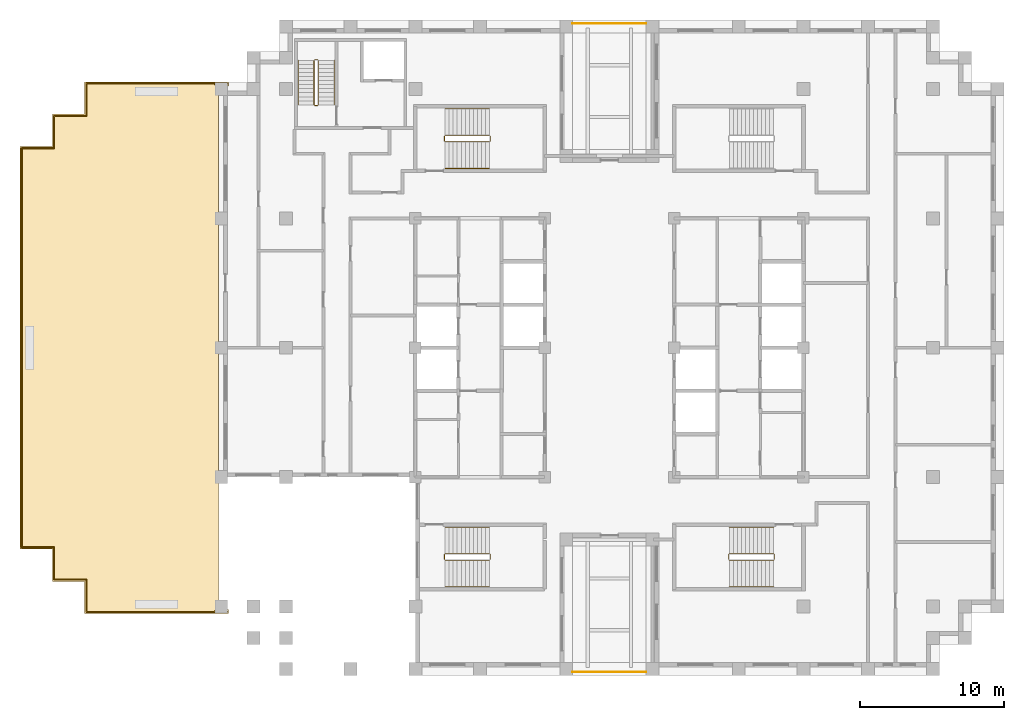
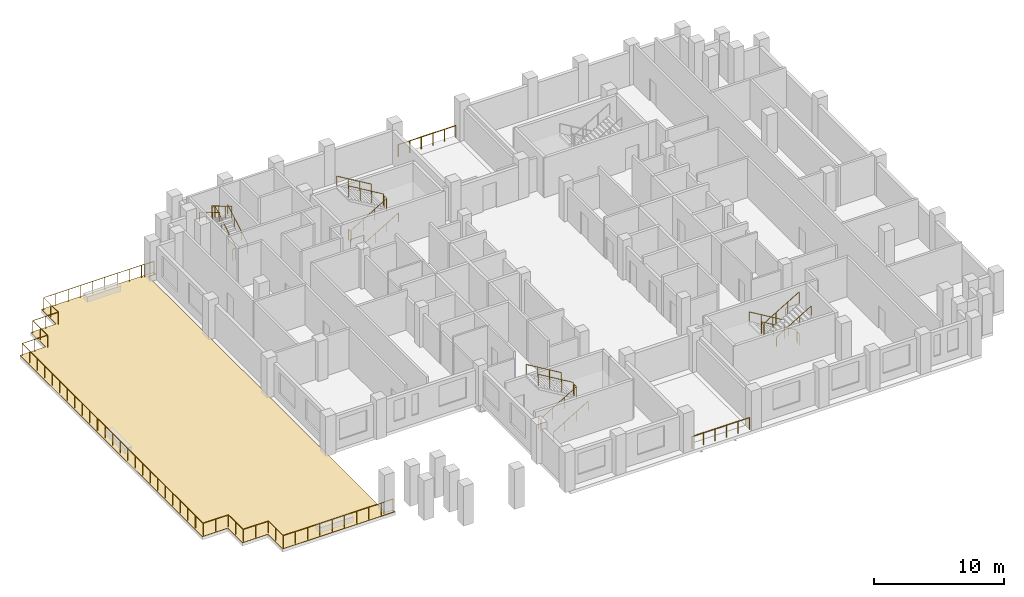
# One storey, part 9 of 10: 7 railings, 1 covering.
"""IFC4 building model written with IfcOpenShell, lengths in metres."""

from ifc_helpers import new_model, si_unit, direction, frame, origin, origin_2d, place, context, subcontext, project, spatial, polyline, circle, outline, extrude, material, layer, layer_set, type_object, element, save


model = new_model("IFC4")

# Units and contexts
model_context = context("Model", 3, precision=1e-05, world=origin(), true_north=direction((0.0, 1.0)))
body_context = subcontext(model_context, "Body", "Model", "MODEL_VIEW")
ifc_project = project(units=[si_unit("LENGTHUNIT", "METRE"), si_unit("AREAUNIT", "SQUARE_METRE"), si_unit("VOLUMEUNIT", "CUBIC_METRE"), si_unit("PLANEANGLEUNIT", "RADIAN"), si_unit("MASSUNIT", "GRAM", prefix="KILO")], contexts=[model_context])

# Site, building, storey
site_placement = place(None, origin())
site = spatial("IfcSite", under=ifc_project, at=site_placement, CompositionType="ELEMENT")
building_placement = place(site_placement, origin())
building = spatial("IfcBuilding", under=site, at=building_placement, Name="Corbelhall Arena Tower", CompositionType="ELEMENT")
storey_placement = place(building_placement, frame((0.0, 0.0, 242.0)))
storey = spatial("IfcBuildingStorey", under=building, at=storey_placement, Name="L51", CompositionType="ELEMENT", Elevation=242.0)

# Railings
ifc_material_1 = material(Name="Steel ASTM A500 Gr C", Category="steel")
railing_type_1 = type_object("IfcRailingType", Name="EV-GD1 Terrace guard 1100", PredefinedType="GUARDRAIL", material=ifc_material_1)
railing_1_placement = place(storey_placement, frame((-27.449951171875, -18.320068359375, 0.0400390625)))
element("IfcRailing", 1, at=railing_1_placement, inside=storey, type_object=railing_type_1, Name="Guard", PredefinedType="GUARDRAIL", context=body_context, shape_type="SweptSolid", body=[
    extrude(circle(Radius=0.02392578125, at=origin_2d()), frame((0.0, 0.0, 1.1259765625), z_axis=(1.0, 0.0, 0.0), x_axis=(0.0, 1.0, 0.0)), (0.0, 0.0, 1.0), 0.829833984375),
    extrude(circle(Radius=0.02392578125, at=origin_2d()), frame((0.829833984375, 0.0, 1.1259765625), z_axis=(0.0, -1.0, 0.0), x_axis=(1.0, 0.0, 0.0)), (0.0, 0.0, 1.0), 0.059814453125),
    extrude(circle(Radius=0.02392578125, at=origin_2d()), frame((0.829833984375, -0.059814453125, 1.1259765625), z_axis=(-1.0, 0.0, 0.0), x_axis=(0.0, -1.0, 0.0)), (0.0, 0.0, 1.0), 9.759765625),
    extrude(circle(Radius=0.02392578125, at=origin_2d()), frame((-8.929931640625, -0.059814453125, 1.1259765625), z_axis=(0.0, 1.0, 0.0), x_axis=(-1.0, 0.0, 0.0)), (0.0, 0.0, 1.0), 2.25),
    extrude(circle(Radius=0.02392578125, at=origin_2d()), frame((-8.929931640625, 2.190185546875, 1.1259765625), z_axis=(-1.0, 0.0, 0.0), x_axis=(0.0, -1.0, 0.0)), (0.0, 0.0, 1.0), 2.25),
    extrude(circle(Radius=0.02392578125, at=origin_2d()), frame((-11.179931640625, 2.190185546875, 1.1259765625), z_axis=(0.0, 1.0, 0.0), x_axis=(-1.0, 0.0, 0.0)), (0.0, 0.0, 1.0), 2.25),
    extrude(circle(Radius=0.02392578125, at=origin_2d()), frame((-11.179931640625, 4.440185546875, 1.1259765625), z_axis=(-1.0, 0.0, 0.0), x_axis=(0.0, -1.0, 0.0)), (0.0, 0.0, 1.0), 2.25),
    extrude(circle(Radius=0.02392578125, at=origin_2d()), frame((-13.429931640625, 4.440185546875, 1.1259765625), z_axis=(0.0, 1.0, 0.0), x_axis=(-1.0, 0.0, 0.0)), (0.0, 0.0, 1.0), 27.759765625),
    extrude(circle(Radius=0.02392578125, at=origin_2d()), frame((-13.429931640625, 32.199951171875, 1.1259765625), z_axis=(1.0, 0.0, 0.0), x_axis=(0.0, 1.0, 0.0)), (0.0, 0.0, 1.0), 2.25),
    extrude(circle(Radius=0.02392578125, at=origin_2d()), frame((-11.179931640625, 32.199951171875, 1.1259765625), z_axis=(0.0, 1.0, 0.0), x_axis=(-1.0, 0.0, 0.0)), (0.0, 0.0, 1.0), 2.25),
    extrude(circle(Radius=0.02392578125, at=origin_2d()), frame((-11.179931640625, 34.449951171875, 1.1259765625), z_axis=(1.0, 0.0, 0.0), x_axis=(0.0, 1.0, 0.0)), (0.0, 0.0, 1.0), 2.25),
    extrude(circle(Radius=0.02392578125, at=origin_2d()), frame((-8.929931640625, 34.449951171875, 1.1259765625), z_axis=(0.0, 1.0, 0.0), x_axis=(-1.0, 0.0, 0.0)), (0.0, 0.0, 1.0), 2.25),
    extrude(circle(Radius=0.02392578125, at=origin_2d()), frame((-8.929931640625, 36.699951171875, 1.1259765625), z_axis=(1.0, 0.0, 0.0), x_axis=(0.0, 1.0, 0.0)), (0.0, 0.0, 1.0), 9.759765625),
    extrude(circle(Radius=0.02392578125, at=origin_2d()), frame((0.829833984375, 36.699951171875, 1.1259765625), z_axis=(0.0, -1.0, 0.0), x_axis=(1.0, 0.0, 0.0)), (0.0, 0.0, 1.0), 0.059814453125),
    extrude(circle(Radius=0.02392578125, at=origin_2d()), frame((0.829833984375, 36.64013671875, 1.1259765625), z_axis=(-1.0, 0.0, 0.0), x_axis=(0.0, -1.0, 0.0)), (0.0, 0.0, 1.0), 0.829833984375),
    extrude(circle(Radius=0.02099609375, at=origin_2d()), origin(), (0.0, 0.0, 1.0), 1.101806640625),
    extrude(circle(Radius=0.02099609375, at=origin_2d()), frame((0.829833984375, 0.0, 0.0)), (0.0, 0.0, 1.0), 1.101806640625),
    extrude(circle(Radius=0.02099609375, at=origin_2d()), frame((0.829833984375, -0.059814453125, 0.0)), (0.0, 0.0, 1.0), 1.101806640625),
    extrude(circle(Radius=0.02099609375, at=origin_2d()), frame((-0.254638671875, -0.059814453125, 0.0)), (0.0, 0.0, 1.0), 1.101806640625),
    extrude(circle(Radius=0.02099609375, at=origin_2d()), frame((-1.339111328125, -0.059814453125, 0.0)), (0.0, 0.0, 1.0), 1.101806640625),
    extrude(circle(Radius=0.02099609375, at=origin_2d()), frame((-2.42333984375, -0.059814453125, 0.0)), (0.0, 0.0, 1.0), 1.101806640625),
    extrude(circle(Radius=0.02099609375, at=origin_2d()), frame((-3.5078125, -0.059814453125, 0.0)), (0.0, 0.0, 1.0), 1.101806640625),
    extrude(circle(Radius=0.02099609375, at=origin_2d()), frame((-4.59228515625, -0.059814453125, 0.0)), (0.0, 0.0, 1.0), 1.101806640625),
    extrude(circle(Radius=0.02099609375, at=origin_2d()), frame((-5.6767578125, -0.059814453125, 0.0)), (0.0, 0.0, 1.0), 1.101806640625),
    extrude(circle(Radius=0.02099609375, at=origin_2d()), frame((-6.760986328125, -0.059814453125, 0.0)), (0.0, 0.0, 1.0), 1.101806640625),
    extrude(circle(Radius=0.02099609375, at=origin_2d()), frame((-7.845458984375, -0.059814453125, 0.0)), (0.0, 0.0, 1.0), 1.101806640625),
    extrude(circle(Radius=0.02099609375, at=origin_2d()), frame((-8.929931640625, -0.059814453125, 0.0)), (0.0, 0.0, 1.0), 1.101806640625),
    extrude(circle(Radius=0.02099609375, at=origin_2d()), frame((-8.929931640625, 1.065185546875, 0.0)), (0.0, 0.0, 1.0), 1.101806640625),
    extrude(circle(Radius=0.02099609375, at=origin_2d()), frame((-8.929931640625, 2.190185546875, 0.0)), (0.0, 0.0, 1.0), 1.101806640625),
    extrude(circle(Radius=0.02099609375, at=origin_2d()), frame((-10.054931640625, 2.190185546875, 0.0)), (0.0, 0.0, 1.0), 1.101806640625),
    extrude(circle(Radius=0.02099609375, at=origin_2d()), frame((-11.179931640625, 2.190185546875, 0.0)), (0.0, 0.0, 1.0), 1.101806640625),
    extrude(circle(Radius=0.02099609375, at=origin_2d()), frame((-11.179931640625, 3.315185546875, 0.0)), (0.0, 0.0, 1.0), 1.101806640625),
    extrude(circle(Radius=0.02099609375, at=origin_2d()), frame((-11.179931640625, 4.440185546875, 0.0)), (0.0, 0.0, 1.0), 1.101806640625),
    extrude(circle(Radius=0.02099609375, at=origin_2d()), frame((-12.304931640625, 4.440185546875, 0.0)), (0.0, 0.0, 1.0), 1.101806640625),
    extrude(circle(Radius=0.02099609375, at=origin_2d()), frame((-13.429931640625, 4.440185546875, 0.0)), (0.0, 0.0, 1.0), 1.101806640625),
    extrude(circle(Radius=0.02099609375, at=origin_2d()), frame((-13.429931640625, 5.596923828125, 0.0)), (0.0, 0.0, 1.0), 1.101806640625),
    extrude(circle(Radius=0.02099609375, at=origin_2d()), frame((-13.429931640625, 6.75341796875, 0.0)), (0.0, 0.0, 1.0), 1.101806640625),
    extrude(circle(Radius=0.02099609375, at=origin_2d()), frame((-13.429931640625, 7.91015625, 0.0)), (0.0, 0.0, 1.0), 1.101806640625),
    extrude(circle(Radius=0.02099609375, at=origin_2d()), frame((-13.429931640625, 9.06689453125, 0.0)), (0.0, 0.0, 1.0), 1.101806640625),
    extrude(circle(Radius=0.02099609375, at=origin_2d()), frame((-13.429931640625, 10.223388671875, 0.0)), (0.0, 0.0, 1.0), 1.101806640625),
    extrude(circle(Radius=0.02099609375, at=origin_2d()), frame((-13.429931640625, 11.380126953125, 0.0)), (0.0, 0.0, 1.0), 1.101806640625),
    extrude(circle(Radius=0.02099609375, at=origin_2d()), frame((-13.429931640625, 12.536865234375, 0.0)), (0.0, 0.0, 1.0), 1.101806640625),
    extrude(circle(Radius=0.02099609375, at=origin_2d()), frame((-13.429931640625, 13.693359375, 0.0)), (0.0, 0.0, 1.0), 1.101806640625),
    extrude(circle(Radius=0.02099609375, at=origin_2d()), frame((-13.429931640625, 14.85009765625, 0.0)), (0.0, 0.0, 1.0), 1.101806640625),
    extrude(circle(Radius=0.02099609375, at=origin_2d()), frame((-13.429931640625, 16.0068359375, 0.0)), (0.0, 0.0, 1.0), 1.101806640625),
    extrude(circle(Radius=0.02099609375, at=origin_2d()), frame((-13.429931640625, 17.163330078125, 0.0)), (0.0, 0.0, 1.0), 1.101806640625),
    extrude(circle(Radius=0.02099609375, at=origin_2d()), frame((-13.429931640625, 18.320068359375, 0.0)), (0.0, 0.0, 1.0), 1.101806640625),
    extrude(circle(Radius=0.02099609375, at=origin_2d()), frame((-13.429931640625, 19.476806640625, 0.0)), (0.0, 0.0, 1.0), 1.101806640625),
    extrude(circle(Radius=0.02099609375, at=origin_2d()), frame((-13.429931640625, 20.63330078125, 0.0)), (0.0, 0.0, 1.0), 1.101806640625),
    extrude(circle(Radius=0.02099609375, at=origin_2d()), frame((-13.429931640625, 21.7900390625, 0.0)), (0.0, 0.0, 1.0), 1.101806640625),
    extrude(circle(Radius=0.02099609375, at=origin_2d()), frame((-13.429931640625, 22.94677734375, 0.0)), (0.0, 0.0, 1.0), 1.101806640625),
    extrude(circle(Radius=0.02099609375, at=origin_2d()), frame((-13.429931640625, 24.103271484375, 0.0)), (0.0, 0.0, 1.0), 1.101806640625),
    extrude(circle(Radius=0.02099609375, at=origin_2d()), frame((-13.429931640625, 25.260009765625, 0.0)), (0.0, 0.0, 1.0), 1.101806640625),
    extrude(circle(Radius=0.02099609375, at=origin_2d()), frame((-13.429931640625, 26.416748046875, 0.0)), (0.0, 0.0, 1.0), 1.101806640625),
    extrude(circle(Radius=0.02099609375, at=origin_2d()), frame((-13.429931640625, 27.5732421875, 0.0)), (0.0, 0.0, 1.0), 1.101806640625),
    extrude(circle(Radius=0.02099609375, at=origin_2d()), frame((-13.429931640625, 28.72998046875, 0.0)), (0.0, 0.0, 1.0), 1.101806640625),
    extrude(circle(Radius=0.02099609375, at=origin_2d()), frame((-13.429931640625, 29.88671875, 0.0)), (0.0, 0.0, 1.0), 1.101806640625),
    extrude(circle(Radius=0.02099609375, at=origin_2d()), frame((-13.429931640625, 31.043212890625, 0.0)), (0.0, 0.0, 1.0), 1.101806640625),
    extrude(circle(Radius=0.02099609375, at=origin_2d()), frame((-13.429931640625, 32.199951171875, 0.0)), (0.0, 0.0, 1.0), 1.101806640625),
    extrude(circle(Radius=0.02099609375, at=origin_2d()), frame((-12.304931640625, 32.199951171875, 0.0)), (0.0, 0.0, 1.0), 1.101806640625),
    extrude(circle(Radius=0.02099609375, at=origin_2d()), frame((-11.179931640625, 32.199951171875, 0.0)), (0.0, 0.0, 1.0), 1.101806640625),
    extrude(circle(Radius=0.02099609375, at=origin_2d()), frame((-11.179931640625, 33.324951171875, 0.0)), (0.0, 0.0, 1.0), 1.101806640625),
    extrude(circle(Radius=0.02099609375, at=origin_2d()), frame((-11.179931640625, 34.449951171875, 0.0)), (0.0, 0.0, 1.0), 1.101806640625),
    extrude(circle(Radius=0.02099609375, at=origin_2d()), frame((-10.054931640625, 34.449951171875, 0.0)), (0.0, 0.0, 1.0), 1.101806640625),
    extrude(circle(Radius=0.02099609375, at=origin_2d()), frame((-8.929931640625, 34.449951171875, 0.0)), (0.0, 0.0, 1.0), 1.101806640625),
    extrude(circle(Radius=0.02099609375, at=origin_2d()), frame((-8.929931640625, 35.574951171875, 0.0)), (0.0, 0.0, 1.0), 1.101806640625),
    extrude(circle(Radius=0.02099609375, at=origin_2d()), frame((-8.929931640625, 36.699951171875, 0.0)), (0.0, 0.0, 1.0), 1.101806640625),
    extrude(circle(Radius=0.02099609375, at=origin_2d()), frame((-7.845458984375, 36.699951171875, 0.0)), (0.0, 0.0, 1.0), 1.101806640625),
    extrude(circle(Radius=0.02099609375, at=origin_2d()), frame((-6.760986328125, 36.699951171875, 0.0)), (0.0, 0.0, 1.0), 1.101806640625),
    extrude(circle(Radius=0.02099609375, at=origin_2d()), frame((-5.6767578125, 36.699951171875, 0.0)), (0.0, 0.0, 1.0), 1.101806640625),
    extrude(circle(Radius=0.02099609375, at=origin_2d()), frame((-4.59228515625, 36.699951171875, 0.0)), (0.0, 0.0, 1.0), 1.101806640625),
    extrude(circle(Radius=0.02099609375, at=origin_2d()), frame((-3.5078125, 36.699951171875, 0.0)), (0.0, 0.0, 1.0), 1.101806640625),
    extrude(circle(Radius=0.02099609375, at=origin_2d()), frame((-2.42333984375, 36.699951171875, 0.0)), (0.0, 0.0, 1.0), 1.101806640625),
    extrude(circle(Radius=0.02099609375, at=origin_2d()), frame((-1.339111328125, 36.699951171875, 0.0)), (0.0, 0.0, 1.0), 1.101806640625),
    extrude(circle(Radius=0.02099609375, at=origin_2d()), frame((-0.254638671875, 36.699951171875, 0.0)), (0.0, 0.0, 1.0), 1.101806640625),
    extrude(circle(Radius=0.02099609375, at=origin_2d()), frame((0.829833984375, 36.699951171875, 0.0)), (0.0, 0.0, 1.0), 1.101806640625),
    extrude(circle(Radius=0.02099609375, at=origin_2d()), frame((0.829833984375, 36.64013671875, 0.0)), (0.0, 0.0, 1.0), 1.101806640625),
    extrude(circle(Radius=0.02099609375, at=origin_2d()), frame((0.0, 36.64013671875, 0.0)), (0.0, 0.0, 1.0), 1.101806640625),
])
for number, where, name in (
    (2, (-2.550048828125, 22.550048828125, 0.0), "Guard"),
    (3, (-2.550048828125, -22.550048828125, 0.0), "Guard"),
):
    element("IfcRailing", number, at=place(storey_placement, frame(where)), inside=storey, type_object=railing_type_1, Name=name, PredefinedType="GUARDRAIL", context=body_context, shape_type="SweptSolid", body=[
        extrude(circle(Radius=0.02392578125, at=origin_2d()), frame((0.0, 0.0, 1.1259765625), z_axis=(1.0, 0.0, 0.0), x_axis=(0.0, 1.0, 0.0)), (0.0, 0.0, 1.0), 5.10009765625),
        extrude(circle(Radius=0.02099609375, at=origin_2d()), origin(), (0.0, 0.0, 1.0), 1.101806640625),
        extrude(circle(Radius=0.02099609375, at=origin_2d()), frame((1.02001953125, 0.0, 0.0)), (0.0, 0.0, 1.0), 1.101806640625),
        extrude(circle(Radius=0.02099609375, at=origin_2d()), frame((2.0400390625, 0.0, 0.0)), (0.0, 0.0, 1.0), 1.101806640625),
        extrude(circle(Radius=0.02099609375, at=origin_2d()), frame((3.06005859375, 0.0, 0.0)), (0.0, 0.0, 1.0), 1.101806640625),
        extrude(circle(Radius=0.02099609375, at=origin_2d()), frame((4.080078125, 0.0, 0.0)), (0.0, 0.0, 1.0), 1.101806640625),
        extrude(circle(Radius=0.02099609375, at=origin_2d()), frame((5.10009765625, 0.0, 0.0)), (0.0, 0.0, 1.0), 1.101806640625),
    ])

# Covering
ifc_material_2 = material(Name="Granite paving", Category="masonry")
ifc_layer = layer(ifc_material_2, 0.0400390625)
ifc_layer_set = layer_set([ifc_layer], Name="EV-PV1 Terrace paving 40")
covering_type = type_object("IfcCoveringType", Name="EV-PV1 Terrace paving 40", PredefinedType="FLOORING", material=ifc_layer_set)
covering_placement = place(storey_placement, origin())
element("IfcCovering", 4, at=covering_placement, inside=storey, type_object=covering_type, Name="Terrace paving", PredefinedType="FLOORING", context=body_context, shape_type="SweptSolid", body=[
    extrude(outline(polyline([(-36.5, -18.5), (-36.5, -16.25), (-38.75, -16.25), (-38.75, -14.0), (-41.0, -14.0), (-41.0, 14.0), (-38.75, 14.0), (-38.75, 16.25), (-36.5, 16.25), (-36.5, 18.5), (-26.5, 18.5), (-26.5, 18.199951171875), (-27.199951171875, 18.199951171875), (-27.199951171875, -18.199951171875), (-26.5, -18.199951171875), (-26.5, -18.5), (-36.5, -18.5)])), origin(), (0.0, 0.0, 1.0), 0.0400390625),
])

# Railings
railing_type_2 = type_object("IfcRailingType", Name="IN-GD-1100", PredefinedType="GUARDRAIL", material=ifc_material_1)
railing_2_placement = place(storey_placement, frame((-11.425048828125, 14.324951171875, 0.166748046875)))
element("IfcRailing", 5, at=railing_2_placement, inside=storey, type_object=railing_type_2, Name="L51 ST1 stair guards and handrails", PredefinedType="GUARDRAIL", context=body_context, shape_type="SweptSolid", body=[
    extrude(circle(Radius=0.02392578125, at=origin_2d()), frame((0.0, 0.0, 1.076171875), z_axis=(0.859308565015, 0.0, 0.511457515432), x_axis=(0.0, 1.0, 0.0)), (0.0, 0.0, 1.0), 3.58447265625),
    extrude(circle(Radius=0.02392578125, at=origin_2d()), frame((3.130126953125, 0.050048828125, 2.9091796875), z_axis=(0.0, 1.0, 0.0), x_axis=(-1.0, 0.0, 0.0)), (0.0, 0.0, 1.0), 0.35009765625),
    extrude(circle(Radius=0.02392578125, at=origin_2d()), frame((3.080078125, 0.449951171875, 3.076171875), z_axis=(-0.859308565015, 0.0, 0.511457515432), x_axis=(0.0, -1.0, 0.0)), (0.0, 0.0, 1.0), 3.58447265625),
    extrude(circle(Radius=0.02392578125, at=origin_2d()), frame((-0.050048828125, 0.050048828125, 0.9091796875), z_axis=(0.0, 1.0, 0.0), x_axis=(-1.0, 0.0, 0.0)), (0.0, 0.0, 1.0), 0.35009765625),
    extrude(circle(Radius=0.02392578125, at=origin_2d()), frame((0.0, -1.849853515625, 0.8759765625), z_axis=(0.859308565015, 0.0, 0.511457515432), x_axis=(0.0, 1.0, 0.0)), (0.0, 0.0, 1.0), 3.58447265625),
    extrude(circle(Radius=0.02392578125, at=origin_2d()), frame((3.080078125, 2.300048828125, 2.8759765625), z_axis=(-0.859308565015, 0.0, 0.511457515432), x_axis=(0.0, -1.0, 0.0)), (0.0, 0.0, 1.0), 3.58447265625),
    extrude(circle(Radius=0.02099609375, at=origin_2d()), origin(), (0.0, 0.0, 1.0), 1.052001953125),
    extrude(circle(Radius=0.02099609375, at=origin_2d()), frame((1.026611328125, 0.0, 0.611083984375)), (0.0, 0.0, 1.0), 1.052001953125),
    extrude(circle(Radius=0.02099609375, at=origin_2d()), frame((2.053466796875, 0.0, 1.22216796875)), (0.0, 0.0, 1.0), 1.052001953125),
    extrude(circle(Radius=0.02099609375, at=origin_2d()), frame((3.080078125, 0.0, 1.833251953125)), (0.0, 0.0, 1.0), 1.052001953125),
    extrude(circle(Radius=0.02099609375, at=origin_2d()), frame((3.130126953125, 0.050048828125, 1.833251953125)), (0.0, 0.0, 1.0), 1.052001953125),
    extrude(circle(Radius=0.02099609375, at=origin_2d()), frame((3.130126953125, 0.400146484375, 1.833251953125)), (0.0, 0.0, 1.0), 1.052001953125),
    extrude(circle(Radius=0.02099609375, at=origin_2d()), frame((3.080078125, 0.449951171875, 2.0)), (0.0, 0.0, 1.0), 1.052001953125),
    extrude(circle(Radius=0.02099609375, at=origin_2d()), frame((2.053466796875, 0.449951171875, 2.611083984375)), (0.0, 0.0, 1.0), 1.052001953125),
    extrude(circle(Radius=0.02099609375, at=origin_2d()), frame((1.026611328125, 0.449951171875, 3.22216796875)), (0.0, 0.0, 1.0), 1.052001953125),
    extrude(circle(Radius=0.02099609375, at=origin_2d()), frame((0.0, 0.449951171875, 3.833251953125)), (0.0, 0.0, 1.0), 1.052001953125),
    extrude(circle(Radius=0.02099609375, at=origin_2d()), frame((-0.050048828125, 0.050048828125, -0.166748046875)), (0.0, 0.0, 1.0), 1.052001953125),
    extrude(circle(Radius=0.02099609375, at=origin_2d()), frame((-0.050048828125, 0.400146484375, -0.166748046875)), (0.0, 0.0, 1.0), 1.052001953125),
    extrude(circle(Radius=0.02099609375, at=origin_2d()), frame((0.0, -1.849853515625, 0.0)), (0.0, 0.0, 1.0), 0.851806640625),
    extrude(circle(Radius=0.02099609375, at=origin_2d()), frame((1.026611328125, -1.849853515625, 0.611083984375)), (0.0, 0.0, 1.0), 0.851806640625),
    extrude(circle(Radius=0.02099609375, at=origin_2d()), frame((2.053466796875, -1.849853515625, 1.22216796875)), (0.0, 0.0, 1.0), 0.851806640625),
    extrude(circle(Radius=0.02099609375, at=origin_2d()), frame((3.080078125, -1.849853515625, 1.833251953125)), (0.0, 0.0, 1.0), 0.851806640625),
    extrude(circle(Radius=0.02099609375, at=origin_2d()), frame((3.080078125, 2.300048828125, 2.0)), (0.0, 0.0, 1.0), 0.851806640625),
    extrude(circle(Radius=0.02099609375, at=origin_2d()), frame((2.053466796875, 2.300048828125, 2.611083984375)), (0.0, 0.0, 1.0), 0.851806640625),
    extrude(circle(Radius=0.02099609375, at=origin_2d()), frame((1.026611328125, 2.300048828125, 3.22216796875)), (0.0, 0.0, 1.0), 0.851806640625),
    extrude(circle(Radius=0.02099609375, at=origin_2d()), frame((0.0, 2.300048828125, 3.833251953125)), (0.0, 0.0, 1.0), 0.851806640625),
])
railing_3_placement = place(storey_placement, frame((-11.425048828125, -14.77490234375, 0.166748046875)))
element("IfcRailing", 6, at=railing_3_placement, inside=storey, type_object=railing_type_2, Name="L51 ST2 stair guards and handrails", PredefinedType="GUARDRAIL", context=body_context, shape_type="SweptSolid", body=[
    extrude(circle(Radius=0.02392578125, at=origin_2d()), frame((0.0, 0.0, 1.076171875), z_axis=(0.859308565015, 0.0, 0.511457515432), x_axis=(0.0, 1.0, 0.0)), (0.0, 0.0, 1.0), 3.58447265625),
    extrude(circle(Radius=0.02392578125, at=origin_2d()), frame((3.130126953125, 0.0498046875, 2.9091796875), z_axis=(0.0, 1.0, 0.0), x_axis=(-1.0, 0.0, 0.0)), (0.0, 0.0, 1.0), 0.35009765625),
    extrude(circle(Radius=0.02392578125, at=origin_2d()), frame((3.080078125, 0.449951171875, 3.076171875), z_axis=(-0.859308565015, 0.0, 0.511457515432), x_axis=(0.0, -1.0, 0.0)), (0.0, 0.0, 1.0), 3.58447265625),
    extrude(circle(Radius=0.02392578125, at=origin_2d()), frame((-0.050048828125, 0.0498046875, 0.9091796875), z_axis=(0.0, 1.0, 0.0), x_axis=(-1.0, 0.0, 0.0)), (0.0, 0.0, 1.0), 0.35009765625),
    extrude(circle(Radius=0.02392578125, at=origin_2d()), frame((0.0, -1.85009765625, 0.8759765625), z_axis=(0.859308565015, 0.0, 0.511457515432), x_axis=(0.0, 1.0, 0.0)), (0.0, 0.0, 1.0), 3.58447265625),
    extrude(circle(Radius=0.02392578125, at=origin_2d()), frame((3.080078125, 2.2998046875, 2.8759765625), z_axis=(-0.859308565015, 0.0, 0.511457515432), x_axis=(0.0, -1.0, 0.0)), (0.0, 0.0, 1.0), 3.58447265625),
    extrude(circle(Radius=0.02099609375, at=origin_2d()), origin(), (0.0, 0.0, 1.0), 1.052001953125),
    extrude(circle(Radius=0.02099609375, at=origin_2d()), frame((1.026611328125, 0.0, 0.611083984375)), (0.0, 0.0, 1.0), 1.052001953125),
    extrude(circle(Radius=0.02099609375, at=origin_2d()), frame((2.053466796875, 0.0, 1.22216796875)), (0.0, 0.0, 1.0), 1.052001953125),
    extrude(circle(Radius=0.02099609375, at=origin_2d()), frame((3.080078125, 0.0, 1.833251953125)), (0.0, 0.0, 1.0), 1.052001953125),
    extrude(circle(Radius=0.02099609375, at=origin_2d()), frame((3.130126953125, 0.0498046875, 1.833251953125)), (0.0, 0.0, 1.0), 1.052001953125),
    extrude(circle(Radius=0.02099609375, at=origin_2d()), frame((3.130126953125, 0.39990234375, 1.833251953125)), (0.0, 0.0, 1.0), 1.052001953125),
    extrude(circle(Radius=0.02099609375, at=origin_2d()), frame((3.080078125, 0.449951171875, 2.0)), (0.0, 0.0, 1.0), 1.052001953125),
    extrude(circle(Radius=0.02099609375, at=origin_2d()), frame((2.053466796875, 0.449951171875, 2.611083984375)), (0.0, 0.0, 1.0), 1.052001953125),
    extrude(circle(Radius=0.02099609375, at=origin_2d()), frame((1.026611328125, 0.449951171875, 3.22216796875)), (0.0, 0.0, 1.0), 1.052001953125),
    extrude(circle(Radius=0.02099609375, at=origin_2d()), frame((0.0, 0.449951171875, 3.833251953125)), (0.0, 0.0, 1.0), 1.052001953125),
    extrude(circle(Radius=0.02099609375, at=origin_2d()), frame((-0.050048828125, 0.0498046875, -0.166748046875)), (0.0, 0.0, 1.0), 1.052001953125),
    extrude(circle(Radius=0.02099609375, at=origin_2d()), frame((-0.050048828125, 0.39990234375, -0.166748046875)), (0.0, 0.0, 1.0), 1.052001953125),
    extrude(circle(Radius=0.02099609375, at=origin_2d()), frame((0.0, -1.85009765625, 0.0)), (0.0, 0.0, 1.0), 0.851806640625),
    extrude(circle(Radius=0.02099609375, at=origin_2d()), frame((1.026611328125, -1.85009765625, 0.611083984375)), (0.0, 0.0, 1.0), 0.851806640625),
    extrude(circle(Radius=0.02099609375, at=origin_2d()), frame((2.053466796875, -1.85009765625, 1.22216796875)), (0.0, 0.0, 1.0), 0.851806640625),
    extrude(circle(Radius=0.02099609375, at=origin_2d()), frame((3.080078125, -1.85009765625, 1.833251953125)), (0.0, 0.0, 1.0), 0.851806640625),
    extrude(circle(Radius=0.02099609375, at=origin_2d()), frame((3.080078125, 2.2998046875, 2.0)), (0.0, 0.0, 1.0), 0.851806640625),
    extrude(circle(Radius=0.02099609375, at=origin_2d()), frame((2.053466796875, 2.2998046875, 2.611083984375)), (0.0, 0.0, 1.0), 0.851806640625),
    extrude(circle(Radius=0.02099609375, at=origin_2d()), frame((1.026611328125, 2.2998046875, 3.22216796875)), (0.0, 0.0, 1.0), 0.851806640625),
    extrude(circle(Radius=0.02099609375, at=origin_2d()), frame((0.0, 2.2998046875, 3.833251953125)), (0.0, 0.0, 1.0), 0.851806640625),
])
railing_4_placement = place(storey_placement, frame((11.425048828125, -14.324951171875, 0.166748046875)))
element("IfcRailing", 7, at=railing_4_placement, inside=storey, type_object=railing_type_2, Name="L51 ST4 stair guards and handrails", PredefinedType="GUARDRAIL", context=body_context, shape_type="SweptSolid", body=[
    extrude(circle(Radius=0.02392578125, at=origin_2d()), frame((0.0, 0.0, 1.076171875), z_axis=(-0.859308565015, 0.0, 0.511457515432), x_axis=(0.0, -1.0, 0.0)), (0.0, 0.0, 1.0), 3.58447265625),
    extrude(circle(Radius=0.02392578125, at=origin_2d()), frame((-3.130126953125, -0.050048828125, 2.9091796875), z_axis=(0.0, -1.0, 0.0), x_axis=(1.0, 0.0, 0.0)), (0.0, 0.0, 1.0), 0.35009765625),
    extrude(circle(Radius=0.02392578125, at=origin_2d()), frame((-3.080078125, -0.449951171875, 3.076171875), z_axis=(0.859308565015, 0.0, 0.511457515432), x_axis=(0.0, 1.0, 0.0)), (0.0, 0.0, 1.0), 3.58447265625),
    extrude(circle(Radius=0.02392578125, at=origin_2d()), frame((0.050048828125, -0.050048828125, 0.9091796875), z_axis=(0.0, -1.0, 0.0), x_axis=(1.0, 0.0, 0.0)), (0.0, 0.0, 1.0), 0.35009765625),
    extrude(circle(Radius=0.02392578125, at=origin_2d()), frame((0.0, 1.849853515625, 0.8759765625), z_axis=(-0.859308565015, 0.0, 0.511457515432), x_axis=(0.0, -1.0, 0.0)), (0.0, 0.0, 1.0), 3.58447265625),
    extrude(circle(Radius=0.02392578125, at=origin_2d()), frame((-3.080078125, -2.300048828125, 2.8759765625), z_axis=(0.859308565015, 0.0, 0.511457515432), x_axis=(0.0, 1.0, 0.0)), (0.0, 0.0, 1.0), 3.58447265625),
    extrude(circle(Radius=0.02099609375, at=origin_2d()), origin(), (0.0, 0.0, 1.0), 1.052001953125),
    extrude(circle(Radius=0.02099609375, at=origin_2d()), frame((-1.026611328125, 0.0, 0.611083984375)), (0.0, 0.0, 1.0), 1.052001953125),
    extrude(circle(Radius=0.02099609375, at=origin_2d()), frame((-2.053466796875, 0.0, 1.22216796875)), (0.0, 0.0, 1.0), 1.052001953125),
    extrude(circle(Radius=0.02099609375, at=origin_2d()), frame((-3.080078125, 0.0, 1.833251953125)), (0.0, 0.0, 1.0), 1.052001953125),
    extrude(circle(Radius=0.02099609375, at=origin_2d()), frame((-3.130126953125, -0.050048828125, 1.833251953125)), (0.0, 0.0, 1.0), 1.052001953125),
    extrude(circle(Radius=0.02099609375, at=origin_2d()), frame((-3.130126953125, -0.400146484375, 1.833251953125)), (0.0, 0.0, 1.0), 1.052001953125),
    extrude(circle(Radius=0.02099609375, at=origin_2d()), frame((-3.080078125, -0.449951171875, 2.0)), (0.0, 0.0, 1.0), 1.052001953125),
    extrude(circle(Radius=0.02099609375, at=origin_2d()), frame((-2.053466796875, -0.449951171875, 2.611083984375)), (0.0, 0.0, 1.0), 1.052001953125),
    extrude(circle(Radius=0.02099609375, at=origin_2d()), frame((-1.026611328125, -0.449951171875, 3.22216796875)), (0.0, 0.0, 1.0), 1.052001953125),
    extrude(circle(Radius=0.02099609375, at=origin_2d()), frame((0.0, -0.449951171875, 3.833251953125)), (0.0, 0.0, 1.0), 1.052001953125),
    extrude(circle(Radius=0.02099609375, at=origin_2d()), frame((0.050048828125, -0.050048828125, -0.166748046875)), (0.0, 0.0, 1.0), 1.052001953125),
    extrude(circle(Radius=0.02099609375, at=origin_2d()), frame((0.050048828125, -0.400146484375, -0.166748046875)), (0.0, 0.0, 1.0), 1.052001953125),
    extrude(circle(Radius=0.02099609375, at=origin_2d()), frame((0.0, 1.849853515625, 0.0)), (0.0, 0.0, 1.0), 0.851806640625),
    extrude(circle(Radius=0.02099609375, at=origin_2d()), frame((-1.026611328125, 1.849853515625, 0.611083984375)), (0.0, 0.0, 1.0), 0.851806640625),
    extrude(circle(Radius=0.02099609375, at=origin_2d()), frame((-2.053466796875, 1.849853515625, 1.22216796875)), (0.0, 0.0, 1.0), 0.851806640625),
    extrude(circle(Radius=0.02099609375, at=origin_2d()), frame((-3.080078125, 1.849853515625, 1.833251953125)), (0.0, 0.0, 1.0), 0.851806640625),
    extrude(circle(Radius=0.02099609375, at=origin_2d()), frame((-3.080078125, -2.300048828125, 2.0)), (0.0, 0.0, 1.0), 0.851806640625),
    extrude(circle(Radius=0.02099609375, at=origin_2d()), frame((-2.053466796875, -2.300048828125, 2.611083984375)), (0.0, 0.0, 1.0), 0.851806640625),
    extrude(circle(Radius=0.02099609375, at=origin_2d()), frame((-1.026611328125, -2.300048828125, 3.22216796875)), (0.0, 0.0, 1.0), 0.851806640625),
    extrude(circle(Radius=0.02099609375, at=origin_2d()), frame((0.0, -2.300048828125, 3.833251953125)), (0.0, 0.0, 1.0), 0.851806640625),
])
railing_5_placement = place(storey_placement, frame((-20.2451171875, 16.89990234375, 0.166748046875)))
element("IfcRailing", 8, at=railing_5_placement, inside=storey, type_object=railing_type_2, Name="L51 ST5 stair guards and handrails", PredefinedType="GUARDRAIL", context=body_context, shape_type="SweptSolid", body=[
    extrude(circle(Radius=0.02392578125, at=origin_2d()), frame((0.0, 0.0, 1.076171875), z_axis=(0.0, 0.859308565015, 0.511457515432), x_axis=(-1.0, 0.0, 0.0)), (0.0, 0.0, 1.0), 3.58447265625),
    extrude(circle(Radius=0.02392578125, at=origin_2d()), frame((-0.0498046875, 3.130126953125, 2.9091796875), z_axis=(-1.0, 0.0, 0.0), x_axis=(0.0, -1.0, 0.0)), (0.0, 0.0, 1.0), 0.2001953125),
    extrude(circle(Radius=0.02392578125, at=origin_2d()), frame((-0.2998046875, 3.080078125, 3.076171875), z_axis=(0.0, -0.859308565015, 0.511457515432), x_axis=(1.0, 0.0, 0.0)), (0.0, 0.0, 1.0), 3.58447265625),
    extrude(circle(Radius=0.02392578125, at=origin_2d()), frame((-0.0498046875, -0.0498046875, 0.9091796875), z_axis=(-1.0, 0.0, 0.0), x_axis=(0.0, -1.0, 0.0)), (0.0, 0.0, 1.0), 0.2001953125),
    extrude(circle(Radius=0.02392578125, at=origin_2d()), frame((1.10009765625, 0.0, 0.8759765625), z_axis=(0.0, 0.859308565015, 0.511457515432), x_axis=(-1.0, 0.0, 0.0)), (0.0, 0.0, 1.0), 3.58447265625),
    extrude(circle(Radius=0.02392578125, at=origin_2d()), frame((-1.39990234375, 3.080078125, 2.8759765625), z_axis=(0.0, -0.859308565015, 0.511457515432), x_axis=(1.0, 0.0, 0.0)), (0.0, 0.0, 1.0), 3.58447265625),
    extrude(circle(Radius=0.02099609375, at=origin_2d()), origin(), (0.0, 0.0, 1.0), 1.052001953125),
    extrude(circle(Radius=0.02099609375, at=origin_2d()), frame((0.0, 1.026611328125, 0.611083984375)), (0.0, 0.0, 1.0), 1.052001953125),
    extrude(circle(Radius=0.02099609375, at=origin_2d()), frame((0.0, 2.053466796875, 1.22216796875)), (0.0, 0.0, 1.0), 1.052001953125),
    extrude(circle(Radius=0.02099609375, at=origin_2d()), frame((0.0, 3.080078125, 1.833251953125)), (0.0, 0.0, 1.0), 1.052001953125),
    extrude(circle(Radius=0.02099609375, at=origin_2d()), frame((-0.0498046875, 3.130126953125, 1.833251953125)), (0.0, 0.0, 1.0), 1.052001953125),
    extrude(circle(Radius=0.02099609375, at=origin_2d()), frame((-0.25, 3.130126953125, 1.833251953125)), (0.0, 0.0, 1.0), 1.052001953125),
    extrude(circle(Radius=0.02099609375, at=origin_2d()), frame((-0.2998046875, 3.080078125, 2.0)), (0.0, 0.0, 1.0), 1.052001953125),
    extrude(circle(Radius=0.02099609375, at=origin_2d()), frame((-0.2998046875, 2.053466796875, 2.611083984375)), (0.0, 0.0, 1.0), 1.052001953125),
    extrude(circle(Radius=0.02099609375, at=origin_2d()), frame((-0.2998046875, 1.026611328125, 3.22216796875)), (0.0, 0.0, 1.0), 1.052001953125),
    extrude(circle(Radius=0.02099609375, at=origin_2d()), frame((-0.2998046875, 0.0, 3.833251953125)), (0.0, 0.0, 1.0), 1.052001953125),
    extrude(circle(Radius=0.02099609375, at=origin_2d()), frame((-0.0498046875, -0.0498046875, -0.166748046875)), (0.0, 0.0, 1.0), 1.052001953125),
    extrude(circle(Radius=0.02099609375, at=origin_2d()), frame((-0.25, -0.0498046875, -0.166748046875)), (0.0, 0.0, 1.0), 1.052001953125),
    extrude(circle(Radius=0.02099609375, at=origin_2d()), frame((1.10009765625, 0.0, 0.0)), (0.0, 0.0, 1.0), 0.851806640625),
    extrude(circle(Radius=0.02099609375, at=origin_2d()), frame((1.10009765625, 1.026611328125, 0.611083984375)), (0.0, 0.0, 1.0), 0.851806640625),
    extrude(circle(Radius=0.02099609375, at=origin_2d()), frame((1.10009765625, 2.053466796875, 1.22216796875)), (0.0, 0.0, 1.0), 0.851806640625),
    extrude(circle(Radius=0.02099609375, at=origin_2d()), frame((1.10009765625, 3.080078125, 1.833251953125)), (0.0, 0.0, 1.0), 0.851806640625),
    extrude(circle(Radius=0.02099609375, at=origin_2d()), frame((-1.39990234375, 3.080078125, 2.0)), (0.0, 0.0, 1.0), 0.851806640625),
    extrude(circle(Radius=0.02099609375, at=origin_2d()), frame((-1.39990234375, 2.053466796875, 2.611083984375)), (0.0, 0.0, 1.0), 0.851806640625),
    extrude(circle(Radius=0.02099609375, at=origin_2d()), frame((-1.39990234375, 1.026611328125, 3.22216796875)), (0.0, 0.0, 1.0), 0.851806640625),
    extrude(circle(Radius=0.02099609375, at=origin_2d()), frame((-1.39990234375, 0.0, 3.833251953125)), (0.0, 0.0, 1.0), 0.851806640625),
])

save(model, "model.ifc")
